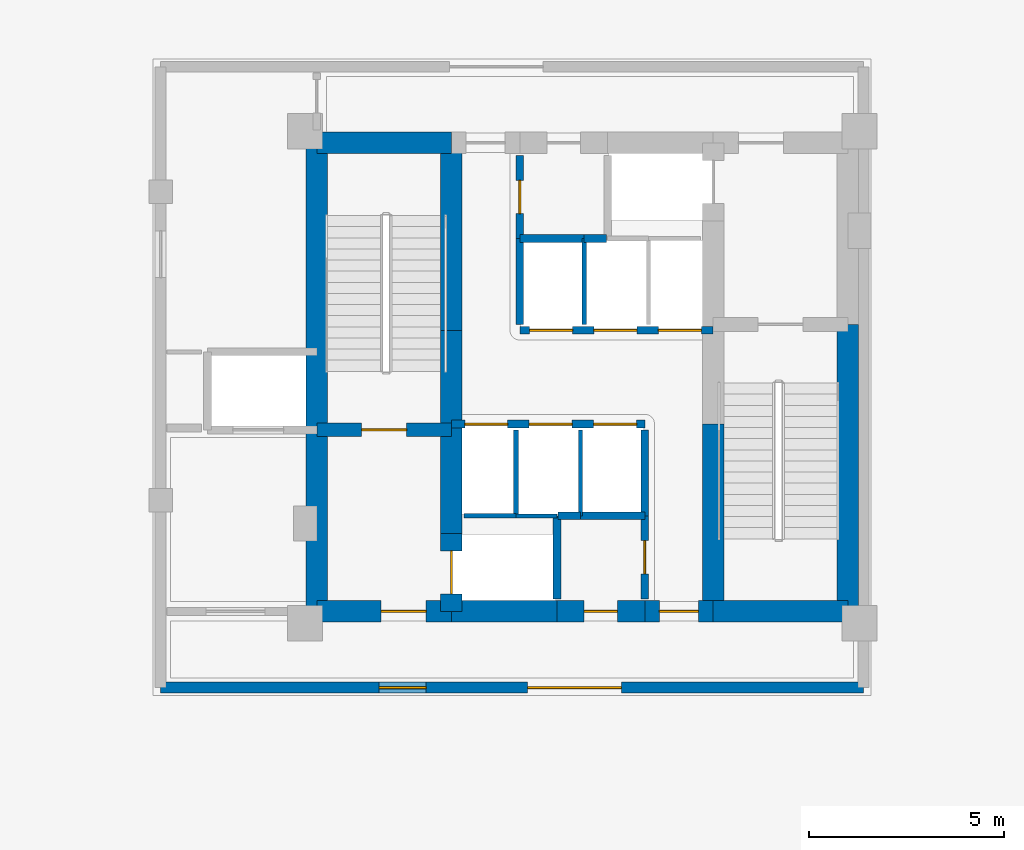
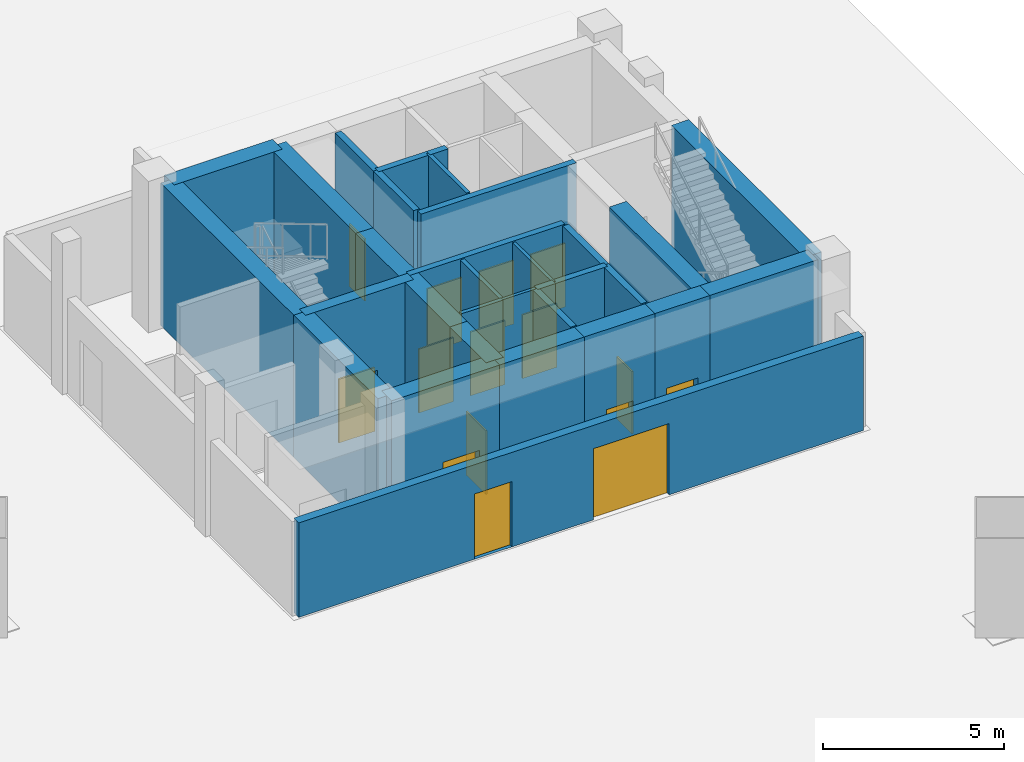
# One storey, part 13 of 21: 32 walls, 15 doors, 15 openings.
"""IFC4 building model written with IfcOpenShell, lengths in metres."""

from ifc_helpers import new_model, si_unit, direction, frame, frame_2d, origin, place, context, subcontext, project, spatial, rectangle, extrude, material, layer, layer_set, type_object, element, fill, save


model = new_model("IFC4")

# Units and contexts
model_context = context("Model", 3, precision=1e-05, world=origin(), true_north=direction((0.0, 1.0)))
body_context = subcontext(model_context, "Body", "Model", "MODEL_VIEW")
ifc_project = project(units=[si_unit("LENGTHUNIT", "METRE"), si_unit("AREAUNIT", "SQUARE_METRE"), si_unit("VOLUMEUNIT", "CUBIC_METRE"), si_unit("PLANEANGLEUNIT", "RADIAN"), si_unit("MASSUNIT", "GRAM", prefix="KILO")], contexts=[model_context])

# Site, building, storey
site_placement = place(None, origin())
site = spatial("IfcSite", under=ifc_project, at=site_placement, CompositionType="ELEMENT")
building_placement = place(site_placement, origin())
building = spatial("IfcBuilding", under=site, at=building_placement, Name="Mersakhor Tower and Convention Hall", CompositionType="ELEMENT")
storey_placement = place(building_placement, origin())
storey = spatial("IfcBuildingStorey", under=building, at=storey_placement, Name="L00", CompositionType="ELEMENT", Elevation=0.0)

# Wall, openings, doors
ifc_material_1 = material(Name="Precast concrete C45/55", Category="concrete")
ifc_layer_1 = layer(ifc_material_1, 0.27490234375)
ifc_layer_set_1 = layer_set([ifc_layer_1], Name="Precast concrete C45/55")
wall_type_1 = type_object("IfcWallType", Name="WL-EXT-275", PredefinedType="SOLIDWALL", material=ifc_layer_set_1)
wall_1_placement = place(storey_placement, frame((36.199951171875, 18.800048828125, 0.0), z_axis=(0.0, 0.0, 1.0), x_axis=(-1.0, 0.0, 0.0)))
wall_1 = element("IfcWall", 1, at=wall_1_placement, inside=storey, type_object=wall_type_1, Name="Tower Ground Lobby Exterior Wall S", PredefinedType="SOLIDWALL", context=body_context, shape_type="SweptSolid", body=[
    extrude(rectangle(XDim=18.0, YDim=0.27490234375, at=frame_2d((9.0, 0.0))), origin(), (0.0, 0.0, 1.0), 3.18505859375),
])
opening_1_placement = place(wall_1_placement, frame((6.199951171875, 0.0, 0.0)))
opening_1 = element("IfcOpeningElement", 2, at=opening_1_placement, cuts=wall_1, Name="Opening ED-02", PredefinedType="OPENING", context=body_context, shape_type="SweptSolid", body=[
    extrude(rectangle(XDim=2.39990234375, YDim=2.39990234375, at=frame_2d((1.199951171875, 1.199951171875))), frame((0.0, 0.1474609375, 0.0), z_axis=(0.0, -1.0, 0.0), x_axis=(1.0, 0.0, 0.0)), (0.0, 0.0, 1.0), 0.294921875),
])
opening_2_placement = place(wall_1_placement, frame((11.199951171875, 0.0, 0.0)))
opening_2 = element("IfcOpeningElement", 3, at=opening_2_placement, cuts=wall_1, Name="Opening EX-01", PredefinedType="OPENING", context=body_context, shape_type="SweptSolid", body=[
    extrude(rectangle(XDim=1.199951171875, YDim=2.199951171875, at=frame_2d((0.60009765625, 1.10009765625))), frame((0.0, 0.1474609375, 0.0), z_axis=(0.0, -1.0, 0.0), x_axis=(1.0, 0.0, 0.0)), (0.0, 0.0, 1.0), 0.294921875),
])
ifc_material_2 = material(Name="Thermally broken dark aluminium and safety glass", Category="aluminium")
door_type_1 = type_object("IfcDoorType", Name="DR-EXT-DBL-240x240", OperationType="NOTDEFINED", PredefinedType="DOOR", material=ifc_material_2)
door_1_placement = place(opening_1_placement, origin())
door_1 = element("IfcDoor", 4, at=door_1_placement, inside=storey, type_object=door_type_1, Name="Tower South Main Entrance Door", OperationType="DOUBLE_DOOR_SINGLE_SWING", OverallHeight=2.39990234375, OverallWidth=2.39990234375, PredefinedType="DOOR", context=body_context, shape_type="SweptSolid", body=[
    extrude(rectangle(XDim=2.39990234375, YDim=2.39990234375, at=frame_2d((1.199951171875, 1.199951171875))), frame((0.0, 0.02490234375, 0.0), z_axis=(0.0, -1.0, 0.0), x_axis=(1.0, 0.0, 0.0)), (0.0, 0.0, 1.0), 0.050048828125),
])
fill(opening_1, door_1)
ifc_material_3 = material(Name="Thermally broken dark aluminium and safety glass", Category="aluminium")
door_type_2 = type_object("IfcDoorType", Name="DR-EXT-EXIT-120x220", OperationType="NOTDEFINED", PredefinedType="DOOR", material=ifc_material_3)
door_2_placement = place(opening_2_placement, origin())
door_2 = element("IfcDoor", 5, at=door_2_placement, inside=storey, type_object=door_type_2, Name="Tower Stair ST-1 Final Exit Discharge Door", OperationType="SINGLE_SWING_LEFT", OverallHeight=2.199951171875, OverallWidth=1.199951171875, PredefinedType="DOOR", context=body_context, shape_type="SweptSolid", body=[
    extrude(rectangle(XDim=1.199951171875, YDim=2.199951171875, at=frame_2d((0.60009765625, 1.10009765625))), frame((0.0, 0.02490234375, 0.0), z_axis=(0.0, -1.0, 0.0), x_axis=(1.0, 0.0, 0.0)), (0.0, 0.0, 1.0), 0.050048828125),
])
fill(opening_2, door_2)

# Walls
ifc_material_4 = material(Name="Lightweight gypsum partition", Category="other")
ifc_layer_2 = layer(ifc_material_4, 0.10009765625)
ifc_layer_set_2 = layer_set([ifc_layer_2], Name="Lightweight gypsum partition")
wall_type_2 = type_object("IfcWallType", Name="WL-PRT-100", PredefinedType="PARTITIONING", material=ifc_layer_set_2)
wall_2_placement = place(storey_placement, frame((27.300048828125, 23.199951171875, 0.0), z_axis=(0.0, 0.0, 1.0), x_axis=(1.0, 0.0, 0.0)))
element("IfcWall", 6, at=wall_2_placement, inside=storey, type_object=wall_type_2, Name="L00 Interior Partition Wall P-002", PredefinedType="PARTITIONING", context=body_context, shape_type="SweptSolid", body=[
    extrude(rectangle(XDim=1.050048828125, YDim=0.10009765625, at=frame_2d((0.52490234375, 0.0))), origin(), (0.0, 0.0, 1.0), 4.800048828125),
])
wall_3_placement = place(storey_placement, frame((28.949951171875, 25.39990234375, 0.0), z_axis=(0.0, 0.0, 1.0), x_axis=(0.0, -1.0, 0.0)))
element("IfcWall", 7, at=wall_3_placement, inside=storey, type_object=wall_type_2, Name="L00 Interior Partition Wall P-008", PredefinedType="PARTITIONING", context=body_context, shape_type="SweptSolid", body=[
    extrude(rectangle(XDim=2.199951171875, YDim=0.10009765625, at=frame_2d((1.10009765625, 0.0))), origin(), (0.0, 0.0, 1.0), 4.800048828125),
])
ifc_material_5 = material(Name="Gypsum board acoustic partition", Category="other")
ifc_layer_3 = layer(ifc_material_5, 0.125)
ifc_layer_set_3 = layer_set([ifc_layer_3], Name="Gypsum board acoustic partition")
wall_type_3 = type_object("IfcWallType", Name="WL-PRT-125", PredefinedType="PARTITIONING", material=ifc_layer_set_3)
wall_4_placement = place(storey_placement, frame((25.97509765625, 23.199951171875, 0.0), z_axis=(0.0, 0.0, 1.0), x_axis=(1.0, 0.0, 0.0)))
element("IfcWall", 8, at=wall_4_placement, inside=storey, type_object=wall_type_3, Name="L00 Interior Partition Wall P-001", PredefinedType="PARTITIONING", context=body_context, shape_type="SweptSolid", body=[
    extrude(rectangle(XDim=1.324951171875, YDim=0.125, at=frame_2d((0.66259765625, 0.0))), origin(), (0.0, 0.0, 1.0), 4.800048828125),
])
for number, where, z_axis, x_axis, name in (
    (9, (27.300048828125, 25.39990234375, 0.0), (0.0, 0.0, 1.0), (0.0, -1.0, 0.0), "L00 Interior Partition Wall P-007"),
    (10, (29.050048828125, 30.300048828125, 0.0), (0.0, 0.0, 1.0), (0.0, -1.0, 0.0), "L00 Interior Partition Wall P-013"),
):
    element("IfcWall", number, at=place(storey_placement, frame(where, z_axis=z_axis, x_axis=x_axis)), inside=storey, type_object=wall_type_3, Name=name, PredefinedType="PARTITIONING", context=body_context, shape_type="SweptSolid", body=[
        extrude(rectangle(XDim=2.199951171875, YDim=0.125, at=frame_2d((1.10009765625, 0.0))), origin(), (0.0, 0.0, 1.0), 4.800048828125),
    ])

# Wall, openings, doors
ifc_material_6 = material(Name="Acoustic concrete blockwork and gypsum board", Category="masonry")
ifc_layer_4 = layer(ifc_material_6, 0.199951171875)
ifc_layer_set_4 = layer_set([ifc_layer_4], Name="Acoustic concrete blockwork and gypsum board")
wall_type_4 = type_object("IfcWallType", Name="WL-PRT-200", PredefinedType="PARTITIONING", material=ifc_layer_set_4)
wall_5_placement = place(storey_placement, frame((25.64990234375, 25.550048828125, 0.0), z_axis=(0.0, 0.0, 1.0), x_axis=(1.0, 0.0, 0.0)))
wall_5 = element("IfcWall", 11, at=wall_5_placement, inside=storey, type_object=wall_type_4, Name="L00 High-Rise Lift Bank Front Wall", PredefinedType="PARTITIONING", context=body_context, shape_type="SweptSolid", body=[
    extrude(rectangle(XDim=4.9501953125, YDim=0.199951171875, at=frame_2d((2.47509765625, 0.0))), origin(), (0.0, 0.0, 1.0), 4.800048828125),
])
opening_3_placement = place(wall_5_placement, frame((0.340087890625, 0.0, 0.0)))
opening_3 = element("IfcOpeningElement", 12, at=opening_3_placement, cuts=wall_5, Name="Opening LD-P4", PredefinedType="OPENING", context=body_context, shape_type="SweptSolid", body=[
    extrude(rectangle(XDim=1.10009765625, YDim=2.14990234375, at=frame_2d((0.550048828125, 1.074951171875))), frame((0.0, 0.10986328125, 0.0), z_axis=(0.0, -1.0, 0.0), x_axis=(1.0, 0.0, 0.0)), (0.0, 0.0, 1.0), 0.219970703125),
])
opening_4_placement = place(wall_5_placement, frame((1.989990234375, 0.0, 0.0)))
opening_4 = element("IfcOpeningElement", 13, at=opening_4_placement, cuts=wall_5, Name="Opening LD-P5", PredefinedType="OPENING", context=body_context, shape_type="SweptSolid", body=[
    extrude(rectangle(XDim=1.10009765625, YDim=2.14990234375, at=frame_2d((0.550048828125, 1.074951171875))), frame((0.0, 0.10986328125, 0.0), z_axis=(0.0, -1.0, 0.0), x_axis=(1.0, 0.0, 0.0)), (0.0, 0.0, 1.0), 0.219970703125),
])
opening_5_placement = place(wall_5_placement, frame((3.639892578125, 0.0, 0.0)))
opening_5 = element("IfcOpeningElement", 14, at=opening_5_placement, cuts=wall_5, Name="Opening LD-P6", PredefinedType="OPENING", context=body_context, shape_type="SweptSolid", body=[
    extrude(rectangle(XDim=1.10009765625, YDim=2.14990234375, at=frame_2d((0.550048828125, 1.074951171875))), frame((0.0, 0.10986328125, 0.0), z_axis=(0.0, -1.0, 0.0), x_axis=(1.0, 0.0, 0.0)), (0.0, 0.0, 1.0), 0.219970703125),
])
ifc_material_7 = material(Name="Fire-rated brushed stainless steel sliding landing door", Category="steel")
door_type_3 = type_object("IfcDoorType", Name="DR-LIFT-SLD-110x215", OperationType="NOTDEFINED", PredefinedType="DOOR", material=ifc_material_7)
door_3_placement = place(opening_3_placement, origin())
door_3 = element("IfcDoor", 15, at=door_3_placement, inside=storey, type_object=door_type_3, Name="L00 Lift Landing Door LD-P4", OperationType="SLIDING_TO_LEFT", OverallHeight=2.14990234375, OverallWidth=1.10009765625, PredefinedType="DOOR", context=body_context, shape_type="SweptSolid", body=[
    extrude(rectangle(XDim=1.10009765625, YDim=2.14990234375, at=frame_2d((0.550048828125, 1.074951171875))), frame((0.0, 0.02490234375, 0.0), z_axis=(0.0, -1.0, 0.0), x_axis=(1.0, 0.0, 0.0)), (0.0, 0.0, 1.0), 0.050048828125),
])
fill(opening_3, door_3)
door_4_placement = place(opening_4_placement, origin())
door_4 = element("IfcDoor", 16, at=door_4_placement, inside=storey, type_object=door_type_3, Name="L00 Lift Landing Door LD-P5", OperationType="SLIDING_TO_LEFT", OverallHeight=2.14990234375, OverallWidth=1.10009765625, PredefinedType="DOOR", context=body_context, shape_type="SweptSolid", body=[
    extrude(rectangle(XDim=1.10009765625, YDim=2.14990234375, at=frame_2d((0.550048828125, 1.074951171875))), frame((0.0, 0.02490234375, 0.0), z_axis=(0.0, -1.0, 0.0), x_axis=(1.0, 0.0, 0.0)), (0.0, 0.0, 1.0), 0.050048828125),
])
fill(opening_4, door_4)
door_5_placement = place(opening_5_placement, origin())
door_5 = element("IfcDoor", 17, at=door_5_placement, inside=storey, type_object=door_type_3, Name="L00 Lift Landing Door LD-P6", OperationType="SLIDING_TO_LEFT", OverallHeight=2.14990234375, OverallWidth=1.10009765625, PredefinedType="DOOR", context=body_context, shape_type="SweptSolid", body=[
    extrude(rectangle(XDim=1.10009765625, YDim=2.14990234375, at=frame_2d((0.550048828125, 1.074951171875))), frame((0.0, 0.02490234375, 0.0), z_axis=(0.0, -1.0, 0.0), x_axis=(1.0, 0.0, 0.0)), (0.0, 0.0, 1.0), 0.050048828125),
])
fill(opening_5, door_5)

wall_6_placement = place(storey_placement, frame((27.39990234375, 27.949951171875, 0.0), z_axis=(0.0, 0.0, 1.0), x_axis=(1.0, 0.0, 0.0)))
wall_6 = element("IfcWall", 18, at=wall_6_placement, inside=storey, type_object=wall_type_4, Name="L00 Low-Rise Lift Bank Front Wall", PredefinedType="PARTITIONING", context=body_context, shape_type="SweptSolid", body=[
    extrude(rectangle(XDim=4.9501953125, YDim=0.199951171875, at=frame_2d((2.47509765625, 0.0))), origin(), (0.0, 0.0, 1.0), 4.800048828125),
])
opening_6_placement = place(wall_6_placement, frame((0.25, 0.0, 0.0)))
opening_6 = element("IfcOpeningElement", 19, at=opening_6_placement, cuts=wall_6, Name="Opening LD-P1", PredefinedType="OPENING", context=body_context, shape_type="SweptSolid", body=[
    extrude(rectangle(XDim=1.10009765625, YDim=2.14990234375, at=frame_2d((0.550048828125, 1.074951171875))), frame((0.0, 0.10986328125, 0.0), z_axis=(0.0, -1.0, 0.0), x_axis=(1.0, 0.0, 0.0)), (0.0, 0.0, 1.0), 0.219970703125),
])
opening_7_placement = place(wall_6_placement, frame((1.89990234375, 0.0, 0.0)))
opening_7 = element("IfcOpeningElement", 20, at=opening_7_placement, cuts=wall_6, Name="Opening LD-P2", PredefinedType="OPENING", context=body_context, shape_type="SweptSolid", body=[
    extrude(rectangle(XDim=1.10009765625, YDim=2.14990234375, at=frame_2d((0.550048828125, 1.074951171875))), frame((0.0, 0.10986328125, 0.0), z_axis=(0.0, -1.0, 0.0), x_axis=(1.0, 0.0, 0.0)), (0.0, 0.0, 1.0), 0.219970703125),
])
opening_8_placement = place(wall_6_placement, frame((3.550048828125, 0.0, 0.0)))
opening_8 = element("IfcOpeningElement", 21, at=opening_8_placement, cuts=wall_6, Name="Opening LD-P3", PredefinedType="OPENING", context=body_context, shape_type="SweptSolid", body=[
    extrude(rectangle(XDim=1.10009765625, YDim=2.14990234375, at=frame_2d((0.550048828125, 1.074951171875))), frame((0.0, 0.10986328125, 0.0), z_axis=(0.0, -1.0, 0.0), x_axis=(1.0, 0.0, 0.0)), (0.0, 0.0, 1.0), 0.219970703125),
])
door_6_placement = place(opening_6_placement, origin())
door_6 = element("IfcDoor", 22, at=door_6_placement, inside=storey, type_object=door_type_3, Name="L00 Lift Landing Door LD-P1", OperationType="SLIDING_TO_LEFT", OverallHeight=2.14990234375, OverallWidth=1.10009765625, PredefinedType="DOOR", context=body_context, shape_type="SweptSolid", body=[
    extrude(rectangle(XDim=1.10009765625, YDim=2.14990234375, at=frame_2d((0.550048828125, 1.074951171875))), frame((0.0, 0.02490234375, 0.0), z_axis=(0.0, -1.0, 0.0), x_axis=(1.0, 0.0, 0.0)), (0.0, 0.0, 1.0), 0.050048828125),
])
fill(opening_6, door_6)
door_7_placement = place(opening_7_placement, origin())
door_7 = element("IfcDoor", 23, at=door_7_placement, inside=storey, type_object=door_type_3, Name="L00 Lift Landing Door LD-P2", OperationType="SLIDING_TO_LEFT", OverallHeight=2.14990234375, OverallWidth=1.10009765625, PredefinedType="DOOR", context=body_context, shape_type="SweptSolid", body=[
    extrude(rectangle(XDim=1.10009765625, YDim=2.14990234375, at=frame_2d((0.550048828125, 1.074951171875))), frame((0.0, 0.02490234375, 0.0), z_axis=(0.0, -1.0, 0.0), x_axis=(1.0, 0.0, 0.0)), (0.0, 0.0, 1.0), 0.050048828125),
])
fill(opening_7, door_7)
door_8_placement = place(opening_8_placement, origin())
door_8 = element("IfcDoor", 24, at=door_8_placement, inside=storey, type_object=door_type_3, Name="L00 Lift Landing Door LD-P3", OperationType="SLIDING_TO_LEFT", OverallHeight=2.14990234375, OverallWidth=1.10009765625, PredefinedType="DOOR", context=body_context, shape_type="SweptSolid", body=[
    extrude(rectangle(XDim=1.10009765625, YDim=2.14990234375, at=frame_2d((0.550048828125, 1.074951171875))), frame((0.0, 0.02490234375, 0.0), z_axis=(0.0, -1.0, 0.0), x_axis=(1.0, 0.0, 0.0)), (0.0, 0.0, 1.0), 0.050048828125),
])
fill(opening_8, door_8)

# Walls
wall_7_placement = place(storey_placement, frame((28.35009765625, 23.199951171875, 0.0), z_axis=(0.0, 0.0, 1.0), x_axis=(0.0, -1.0, 0.0)))
element("IfcWall", 25, at=wall_7_placement, inside=storey, type_object=wall_type_4, Name="L00 Interior Partition Wall P-003", PredefinedType="PARTITIONING", context=body_context, shape_type="SweptSolid", body=[
    extrude(rectangle(XDim=2.125, YDim=0.199951171875, at=frame_2d((1.0625, 0.0))), origin(), (0.0, 0.0, 1.0), 4.800048828125),
])
wall_8_placement = place(storey_placement, frame((28.949951171875, 23.199951171875, 0.0), z_axis=(0.0, 0.0, 1.0), x_axis=(-1.0, 0.0, 0.0)))
element("IfcWall", 26, at=wall_8_placement, inside=storey, type_object=wall_type_4, Name="L00 Interior Partition Wall P-009", PredefinedType="PARTITIONING", context=body_context, shape_type="SweptSolid", body=[
    extrude(rectangle(XDim=0.570068359375, YDim=0.199951171875, at=frame_2d((0.28515625, 0.0))), origin(), (0.0, 0.0, 1.0), 4.800048828125),
])
wall_9_placement = place(storey_placement, frame((30.60009765625, 25.39990234375, 0.0), z_axis=(0.0, 0.0, 1.0), x_axis=(0.0, -1.0, 0.0)))
element("IfcWall", 27, at=wall_9_placement, inside=storey, type_object=wall_type_4, Name="L00 Interior Partition Wall P-010", PredefinedType="PARTITIONING", context=body_context, shape_type="SweptSolid", body=[
    extrude(rectangle(XDim=2.199951171875, YDim=0.199951171875, at=frame_2d((1.10009765625, 0.0))), origin(), (0.0, 0.0, 1.0), 4.800048828125),
])
for number, where, z_axis, x_axis, name in (
    (28, (30.60009765625, 23.199951171875, 0.0), (0.0, 0.0, 1.0), (-1.0, 0.0, 0.0), "L00 Interior Partition Wall P-011"),
    (29, (27.39990234375, 30.300048828125, 0.0), (0.0, 0.0, 1.0), (1.0, 0.0, 0.0), "L00 Interior Partition Wall P-012"),
):
    element("IfcWall", number, at=place(storey_placement, frame(where, z_axis=z_axis, x_axis=x_axis)), inside=storey, type_object=wall_type_4, Name=name, PredefinedType="PARTITIONING", context=body_context, shape_type="SweptSolid", body=[
        extrude(rectangle(XDim=1.650146484375, YDim=0.199951171875, at=frame_2d((0.8251953125, 0.0))), origin(), (0.0, 0.0, 1.0), 4.800048828125),
    ])
wall_10_placement = place(storey_placement, frame((27.39990234375, 28.10009765625, 0.0), z_axis=(0.0, 0.0, 1.0), x_axis=(0.0, 1.0, 0.0)))
element("IfcWall", 30, at=wall_10_placement, inside=storey, type_object=wall_type_4, Name="L00 Interior Partition Wall P-014", PredefinedType="PARTITIONING", context=body_context, shape_type="SweptSolid", body=[
    extrude(rectangle(XDim=2.199951171875, YDim=0.199951171875, at=frame_2d((1.10009765625, 0.0))), origin(), (0.0, 0.0, 1.0), 4.800048828125),
])
wall_11_placement = place(storey_placement, frame((29.050048828125, 30.300048828125, 0.0), z_axis=(0.0, 0.0, 1.0), x_axis=(1.0, 0.0, 0.0)))
element("IfcWall", 31, at=wall_11_placement, inside=storey, type_object=wall_type_4, Name="L00 Interior Partition Wall P-015", PredefinedType="PARTITIONING", context=body_context, shape_type="SweptSolid", body=[
    extrude(rectangle(XDim=0.570068359375, YDim=0.199951171875, at=frame_2d((0.28515625, 0.0))), origin(), (0.0, 0.0, 1.0), 4.800048828125),
])

# Wall, opening, door
wall_12_placement = place(storey_placement, frame((30.60009765625, 21.074951171875, 0.0), z_axis=(0.0, 0.0, 1.0), x_axis=(0.0, 1.0, 0.0)))
wall_12 = element("IfcWall", 32, at=wall_12_placement, inside=storey, type_object=wall_type_4, Name="L00 Interior Partition Wall P-017", PredefinedType="PARTITIONING", context=body_context, shape_type="SweptSolid", body=[
    extrude(rectangle(XDim=2.125, YDim=0.199951171875, at=frame_2d((1.0625, 0.0))), origin(), (0.0, 0.0, 1.0), 4.800048828125),
])
opening_9_placement = place(wall_12_placement, frame((0.637451171875, 0.0, 0.0)))
opening_9 = element("IfcOpeningElement", 33, at=opening_9_placement, cuts=wall_12, Name="Opening SVD-01", PredefinedType="OPENING", context=body_context, shape_type="SweptSolid", body=[
    extrude(rectangle(XDim=0.85009765625, YDim=2.10009765625, at=frame_2d((0.425048828125, 1.050048828125))), frame((0.0, 0.10986328125, 0.0), z_axis=(0.0, -1.0, 0.0), x_axis=(1.0, 0.0, 0.0)), (0.0, 0.0, 1.0), 0.219970703125),
])
ifc_material_8 = material(Name="Fire-rated hardwood leaf and painted steel frame", Category="steel")
door_type_4 = type_object("IfcDoorType", Name="DR-INT-SVC-085x210", OperationType="NOTDEFINED", PredefinedType="DOOR", material=ifc_material_8)
door_9_placement = place(opening_9_placement, origin())
door_9 = element("IfcDoor", 34, at=door_9_placement, inside=storey, type_object=door_type_4, Name="L00 Central Passenger Lift Lobby to Electrical Switchroom Door", OperationType="SINGLE_SWING_RIGHT", OverallHeight=2.10009765625, OverallWidth=0.85009765625, PredefinedType="DOOR", context=body_context, shape_type="SweptSolid", body=[
    extrude(rectangle(XDim=0.85009765625, YDim=2.10009765625, at=frame_2d((0.425048828125, 1.050048828125))), frame((0.0, 0.02490234375, 0.0), z_axis=(0.0, -1.0, 0.0), x_axis=(1.0, 0.0, 0.0)), (0.0, 0.0, 1.0), 0.050048828125),
])
fill(opening_9, door_9)

wall_13_placement = place(storey_placement, frame((27.39990234375, 32.425048828125, 0.0), z_axis=(0.0, 0.0, 1.0), x_axis=(0.0, -1.0, 0.0)))
wall_13 = element("IfcWall", 35, at=wall_13_placement, inside=storey, type_object=wall_type_4, Name="L00 Interior Partition Wall P-018", PredefinedType="PARTITIONING", context=body_context, shape_type="SweptSolid", body=[
    extrude(rectangle(XDim=2.125, YDim=0.199951171875, at=frame_2d((1.0625, 0.0))), origin(), (0.0, 0.0, 1.0), 4.800048828125),
])
opening_10_placement = place(wall_13_placement, frame((0.637451171875, 0.0, 0.0)))
opening_10 = element("IfcOpeningElement", 36, at=opening_10_placement, cuts=wall_13, Name="Opening SVD-01", PredefinedType="OPENING", context=body_context, shape_type="SweptSolid", body=[
    extrude(rectangle(XDim=0.85009765625, YDim=2.10009765625, at=frame_2d((0.425048828125, 1.050048828125))), frame((0.0, 0.10986328125, 0.0), z_axis=(0.0, -1.0, 0.0), x_axis=(1.0, 0.0, 0.0)), (0.0, 0.0, 1.0), 0.219970703125),
])
door_10_placement = place(opening_10_placement, origin())
door_10 = element("IfcDoor", 37, at=door_10_placement, inside=storey, type_object=door_type_4, Name="L00 Central Passenger Lift Lobby to Telecoms and BMS Riser Room Door", OperationType="SINGLE_SWING_LEFT", OverallHeight=2.10009765625, OverallWidth=0.85009765625, PredefinedType="DOOR", context=body_context, shape_type="SweptSolid", body=[
    extrude(rectangle(XDim=0.85009765625, YDim=2.10009765625, at=frame_2d((0.425048828125, 1.050048828125))), frame((0.0, 0.02490234375, 0.0), z_axis=(0.0, -1.0, 0.0), x_axis=(1.0, 0.0, 0.0)), (0.0, 0.0, 1.0), 0.050048828125),
])
fill(opening_10, door_10)

ifc_material_9 = material(Name="Concrete C50/60", Category="concrete")
ifc_layer_5 = layer(ifc_material_9, 0.35009765625)
ifc_layer_set_5 = layer_set([ifc_layer_5], Name="Concrete C50/60")
wall_type_5 = type_object("IfcWallType", Name="WL-SHR-350", PredefinedType="SHEAR", material=ifc_layer_set_5)
wall_14_placement = place(storey_placement, frame((22.199951171875, 25.39990234375, 0.0), z_axis=(0.0, 0.0, 1.0), x_axis=(1.0, 0.0, 0.0)))
wall_14 = element("IfcWall", 38, at=wall_14_placement, inside=storey, type_object=wall_type_5, Name="L00 Core Wall CS-ST1-S", PredefinedType="SHEAR", context=body_context, shape_type="SweptSolid", body=[
    extrude(rectangle(XDim=3.449951171875, YDim=0.35009765625, at=frame_2d((1.72509765625, 0.0))), origin(), (0.0, 0.0, 1.0), 4.800048828125),
])
opening_11_placement = place(wall_14_placement, frame((1.14990234375, 0.0, 0.0)))
opening_11 = element("IfcOpeningElement", 39, at=opening_11_placement, cuts=wall_14, Name="Opening SD-01", PredefinedType="OPENING", context=body_context, shape_type="SweptSolid", body=[
    extrude(rectangle(XDim=1.14990234375, YDim=2.14990234375, at=frame_2d((0.574951171875, 1.074951171875))), frame((0.0, 0.18505859375, 0.0), z_axis=(0.0, -1.0, 0.0), x_axis=(1.0, 0.0, 0.0)), (0.0, 0.0, 1.0), 0.3701171875),
])
ifc_material_10 = material(Name="Fire-rated hardwood leaf and painted steel frame", Category="steel")
door_type_5 = type_object("IfcDoorType", Name="DR-INT-STAIR-115x215", OperationType="NOTDEFINED", PredefinedType="DOOR", material=ifc_material_10)
door_11_placement = place(opening_11_placement, origin())
door_11 = element("IfcDoor", 40, at=door_11_placement, inside=storey, type_object=door_type_5, Name="L00 Exit Stair ST-1 Enclosure Door", OperationType="SINGLE_SWING_LEFT", OverallHeight=2.14990234375, OverallWidth=1.14990234375, PredefinedType="DOOR", context=body_context, shape_type="SweptSolid", body=[
    extrude(rectangle(XDim=1.14990234375, YDim=2.14990234375, at=frame_2d((0.574951171875, 1.074951171875))), frame((0.0, 0.02490234375, 0.0), z_axis=(0.0, -1.0, 0.0), x_axis=(1.0, 0.0, 0.0)), (0.0, 0.0, 1.0), 0.050048828125),
])
fill(opening_11, door_11)

# Walls
ifc_material_11 = material(Name="Concrete C70/85", Category="concrete")
ifc_layer_6 = layer(ifc_material_11, 0.550048828125)
ifc_layer_set_6 = layer_set([ifc_layer_6], Name="Concrete C70/85")
wall_type_6 = type_object("IfcWallType", Name="WL-SHR-550", PredefinedType="SHEAR", material=ifc_layer_set_6)
wall_15_placement = place(storey_placement, frame((22.199951171875, 20.75, 0.0), z_axis=(0.0, 0.0, 1.0), x_axis=(0.0, 1.0, 0.0)))
element("IfcWall", 41, at=wall_15_placement, inside=storey, type_object=wall_type_6, Name="L00 Core Wall CW-W1", PredefinedType="SHEAR", context=body_context, shape_type="SweptSolid", body=[
    extrude(rectangle(XDim=4.64990234375, YDim=0.550048828125, at=frame_2d((2.324951171875, 0.0))), origin(), (0.0, 0.0, 1.0), 4.800048828125),
])
wall_16_placement = place(storey_placement, frame((22.199951171875, 25.39990234375, 0.0), z_axis=(0.0, 0.0, 1.0), x_axis=(0.0, 1.0, 0.0)))
element("IfcWall", 42, at=wall_16_placement, inside=storey, type_object=wall_type_6, Name="L00 Core Wall CW-W2", PredefinedType="SHEAR", context=body_context, shape_type="SweptSolid", body=[
    extrude(rectangle(XDim=7.35009765625, YDim=0.550048828125, at=frame_2d((3.675048828125, 0.0))), origin(), (0.0, 0.0, 1.0), 4.800048828125),
])
wall_17_placement = place(storey_placement, frame((22.199951171875, 32.75, 0.0), z_axis=(0.0, 0.0, 1.0), x_axis=(1.0, 0.0, 0.0)))
element("IfcWall", 43, at=wall_17_placement, inside=storey, type_object=wall_type_6, Name="L00 Core Wall CW-N1", PredefinedType="SHEAR", context=body_context, shape_type="SweptSolid", body=[
    extrude(rectangle(XDim=3.449951171875, YDim=0.550048828125, at=frame_2d((1.72509765625, 0.0))), origin(), (0.0, 0.0, 1.0), 4.800048828125),
])
wall_18_placement = place(storey_placement, frame((35.800048828125, 28.10009765625, 0.0), z_axis=(0.0, 0.0, 1.0), x_axis=(0.0, -1.0, 0.0)))
element("IfcWall", 44, at=wall_18_placement, inside=storey, type_object=wall_type_6, Name="L00 Core Wall CW-E2", PredefinedType="SHEAR", context=body_context, shape_type="SweptSolid", body=[
    extrude(rectangle(XDim=7.35009765625, YDim=0.550048828125, at=frame_2d((3.675048828125, 0.0))), origin(), (0.0, 0.0, 1.0), 4.800048828125),
])
wall_19_placement = place(storey_placement, frame((35.800048828125, 20.75, 0.0), z_axis=(0.0, 0.0, 1.0), x_axis=(-1.0, 0.0, 0.0)))
element("IfcWall", 45, at=wall_19_placement, inside=storey, type_object=wall_type_6, Name="L00 Core Wall CW-S1", PredefinedType="SHEAR", context=body_context, shape_type="SweptSolid", body=[
    extrude(rectangle(XDim=3.449951171875, YDim=0.550048828125, at=frame_2d((1.72509765625, 0.0))), origin(), (0.0, 0.0, 1.0), 4.800048828125),
])

# Wall, opening, door
wall_20_placement = place(storey_placement, frame((32.35009765625, 20.75, 0.0), z_axis=(0.0, 0.0, 1.0), x_axis=(-1.0, 0.0, 0.0)))
wall_20 = element("IfcWall", 46, at=wall_20_placement, inside=storey, type_object=wall_type_6, Name="L00 Core Wall CW-S2A", PredefinedType="SHEAR", context=body_context, shape_type="SweptSolid", body=[
    extrude(rectangle(XDim=1.75, YDim=0.550048828125, at=frame_2d((0.875, 0.0))), origin(), (0.0, 0.0, 1.0), 4.800048828125),
])
opening_12_placement = place(wall_20_placement, frame((0.375, 0.0, 0.0)))
opening_12 = element("IfcOpeningElement", 47, at=opening_12_placement, cuts=wall_20, Name="Opening CFD-01", PredefinedType="OPENING", context=body_context, shape_type="SweptSolid", body=[
    extrude(rectangle(XDim=1.0, YDim=2.14990234375, at=frame_2d((0.5, 1.074951171875))), frame((0.0, 0.284912109375, 0.0), z_axis=(0.0, -1.0, 0.0), x_axis=(1.0, 0.0, 0.0)), (0.0, 0.0, 1.0), 0.570068359375),
])
ifc_material_12 = material(Name="Fire-rated hardwood leaf and painted steel frame", Category="steel")
door_type_6 = type_object("IfcDoorType", Name="DR-CORE-FD-100x215", OperationType="NOTDEFINED", PredefinedType="DOOR", material=ifc_material_12)
door_12_placement = place(opening_12_placement, origin())
door_12 = element("IfcDoor", 48, at=door_12_placement, inside=storey, type_object=door_type_6, Name="L00 Lift Lobby South Corridor Door", OperationType="SINGLE_SWING_RIGHT", OverallHeight=2.14990234375, OverallWidth=1.0, PredefinedType="DOOR", context=body_context, shape_type="SweptSolid", body=[
    extrude(rectangle(XDim=1.0, YDim=2.14990234375, at=frame_2d((0.5, 1.074951171875))), frame((0.0, 0.02490234375, 0.0), z_axis=(0.0, -1.0, 0.0), x_axis=(1.0, 0.0, 0.0)), (0.0, 0.0, 1.0), 0.050048828125),
])
fill(opening_12, door_12)

wall_21_placement = place(storey_placement, frame((30.60009765625, 20.75, 0.0), z_axis=(0.0, 0.0, 1.0), x_axis=(-1.0, 0.0, 0.0)))
wall_21 = element("IfcWall", 49, at=wall_21_placement, inside=storey, type_object=wall_type_6, Name="L00 Core Wall CW-S2B", PredefinedType="SHEAR", context=body_context, shape_type="SweptSolid", body=[
    extrude(rectangle(XDim=2.25, YDim=0.550048828125, at=frame_2d((1.125, 0.0))), origin(), (0.0, 0.0, 1.0), 4.800048828125),
])
opening_13_placement = place(wall_21_placement, frame((0.699951171875, 0.0, 0.0)))
opening_13 = element("IfcOpeningElement", 50, at=opening_13_placement, cuts=wall_21, Name="Opening SVD-01", PredefinedType="OPENING", context=body_context, shape_type="SweptSolid", body=[
    extrude(rectangle(XDim=0.85009765625, YDim=2.10009765625, at=frame_2d((0.425048828125, 1.050048828125))), frame((0.0, 0.284912109375, 0.0), z_axis=(0.0, -1.0, 0.0), x_axis=(1.0, 0.0, 0.0)), (0.0, 0.0, 1.0), 0.570068359375),
])
door_13_placement = place(opening_13_placement, origin())
door_13 = element("IfcDoor", 51, at=door_13_placement, inside=storey, type_object=door_type_4, Name="L00 Electrical Switchroom to Tower Ground Entrance Lobby Door", OperationType="SINGLE_SWING_RIGHT", OverallHeight=2.10009765625, OverallWidth=0.85009765625, PredefinedType="DOOR", context=body_context, shape_type="SweptSolid", body=[
    extrude(rectangle(XDim=0.85009765625, YDim=2.10009765625, at=frame_2d((0.425048828125, 1.050048828125))), frame((0.0, 0.02490234375, 0.0), z_axis=(0.0, -1.0, 0.0), x_axis=(1.0, 0.0, 0.0)), (0.0, 0.0, 1.0), 0.050048828125),
])
fill(opening_13, door_13)

# Wall
wall_22_placement = place(storey_placement, frame((28.35009765625, 20.75, 0.0), z_axis=(0.0, 0.0, 1.0), x_axis=(-1.0, 0.0, 0.0)))
element("IfcWall", 52, at=wall_22_placement, inside=storey, type_object=wall_type_6, Name="L00 Core Wall CW-S3", PredefinedType="SHEAR", context=body_context, shape_type="SweptSolid", body=[
    extrude(rectangle(XDim=2.7001953125, YDim=0.550048828125, at=frame_2d((1.35009765625, 0.0))), origin(), (0.0, 0.0, 1.0), 4.800048828125),
])

# Wall, opening, door
wall_23_placement = place(storey_placement, frame((25.64990234375, 20.75, 0.0), z_axis=(0.0, 0.0, 1.0), x_axis=(-1.0, 0.0, 0.0)))
wall_23 = element("IfcWall", 53, at=wall_23_placement, inside=storey, type_object=wall_type_6, Name="L00 Core Wall CW-S4", PredefinedType="SHEAR", context=body_context, shape_type="SweptSolid", body=[
    extrude(rectangle(XDim=3.449951171875, YDim=0.550048828125, at=frame_2d((1.72509765625, 0.0))), origin(), (0.0, 0.0, 1.0), 4.800048828125),
])
opening_14_placement = place(wall_23_placement, frame((0.64990234375, 0.0, 0.0)))
opening_14 = element("IfcOpeningElement", 54, at=opening_14_placement, cuts=wall_23, Name="Opening SD-01", PredefinedType="OPENING", context=body_context, shape_type="SweptSolid", body=[
    extrude(rectangle(XDim=1.14990234375, YDim=2.14990234375, at=frame_2d((0.574951171875, 1.074951171875))), frame((0.0, 0.284912109375, 0.0), z_axis=(0.0, -1.0, 0.0), x_axis=(1.0, 0.0, 0.0)), (0.0, 0.0, 1.0), 0.570068359375),
])
door_14_placement = place(opening_14_placement, origin())
door_14 = element("IfcDoor", 55, at=door_14_placement, inside=storey, type_object=door_type_5, Name="L00 Firefighting Lobby West Fire Door", OperationType="SINGLE_SWING_LEFT", OverallHeight=2.14990234375, OverallWidth=1.14990234375, PredefinedType="DOOR", context=body_context, shape_type="SweptSolid", body=[
    extrude(rectangle(XDim=1.14990234375, YDim=2.14990234375, at=frame_2d((0.574951171875, 1.074951171875))), frame((0.0, 0.02490234375, 0.0), z_axis=(0.0, -1.0, 0.0), x_axis=(1.0, 0.0, 0.0)), (0.0, 0.0, 1.0), 0.050048828125),
])
fill(opening_14, door_14)

wall_24_placement = place(storey_placement, frame((25.64990234375, 20.75, 0.0), z_axis=(0.0, 0.0, 1.0), x_axis=(0.0, 1.0, 0.0)))
wall_24 = element("IfcWall", 56, at=wall_24_placement, inside=storey, type_object=wall_type_6, Name="L00 Core Wall CS-W-FFL", PredefinedType="SHEAR", context=body_context, shape_type="SweptSolid", body=[
    extrude(rectangle(XDim=2.0, YDim=0.550048828125, at=frame_2d((1.0, 0.0))), origin(), (0.0, 0.0, 1.0), 4.800048828125),
])
opening_15_placement = place(wall_24_placement, frame((0.449951171875, 0.0, 0.0)))
opening_15 = element("IfcOpeningElement", 57, at=opening_15_placement, cuts=wall_24, Name="Opening LD-FFL1", PredefinedType="OPENING", context=body_context, shape_type="SweptSolid", body=[
    extrude(rectangle(XDim=1.10009765625, YDim=2.14990234375, at=frame_2d((0.550048828125, 1.074951171875))), frame((0.0, 0.284912109375, 0.0), z_axis=(0.0, -1.0, 0.0), x_axis=(1.0, 0.0, 0.0)), (0.0, 0.0, 1.0), 0.570068359375),
])
door_15_placement = place(opening_15_placement, origin())
door_15 = element("IfcDoor", 58, at=door_15_placement, inside=storey, type_object=door_type_3, Name="L00 Firefighting Lift Landing Door LD-FFL1", OperationType="SLIDING_TO_LEFT", OverallHeight=2.14990234375, OverallWidth=1.10009765625, PredefinedType="DOOR", context=body_context, shape_type="SweptSolid", body=[
    extrude(rectangle(XDim=1.10009765625, YDim=2.14990234375, at=frame_2d((0.550048828125, 1.074951171875))), frame((0.0, 0.02490234375, 0.0), z_axis=(0.0, -1.0, 0.0), x_axis=(1.0, 0.0, 0.0)), (0.0, 0.0, 1.0), 0.050048828125),
])
fill(opening_15, door_15)

# Walls
wall_25_placement = place(storey_placement, frame((25.64990234375, 22.75, 0.0), z_axis=(0.0, 0.0, 1.0), x_axis=(0.0, 1.0, 0.0)))
element("IfcWall", 59, at=wall_25_placement, inside=storey, type_object=wall_type_6, Name="L00 Core Wall CS-W-MID", PredefinedType="SHEAR", context=body_context, shape_type="SweptSolid", body=[
    extrude(rectangle(XDim=2.800048828125, YDim=0.550048828125, at=frame_2d((1.39990234375, 0.0))), origin(), (0.0, 0.0, 1.0), 4.800048828125),
])
wall_26_placement = place(storey_placement, frame((25.64990234375, 25.550048828125, 0.0), z_axis=(0.0, 0.0, 1.0), x_axis=(0.0, 1.0, 0.0)))
element("IfcWall", 60, at=wall_26_placement, inside=storey, type_object=wall_type_6, Name="L00 Core Wall CS-W-LOB", PredefinedType="SHEAR", context=body_context, shape_type="SweptSolid", body=[
    extrude(rectangle(XDim=2.39990234375, YDim=0.550048828125, at=frame_2d((1.199951171875, 0.0))), origin(), (0.0, 0.0, 1.0), 4.800048828125),
])
for number, where, z_axis, x_axis, name in (
    (61, (25.64990234375, 27.949951171875, 0.0), (0.0, 0.0, 1.0), (0.0, 1.0, 0.0), "L00 Core Wall CS-W-ST1"),
    (62, (32.35009765625, 20.75, 0.0), (0.0, 0.0, 1.0), (0.0, 1.0, 0.0), "L00 Core Wall CS-E-ST2"),
):
    element("IfcWall", number, at=place(storey_placement, frame(where, z_axis=z_axis, x_axis=x_axis)), inside=storey, type_object=wall_type_6, Name=name, PredefinedType="SHEAR", context=body_context, shape_type="SweptSolid", body=[
        extrude(rectangle(XDim=4.800048828125, YDim=0.550048828125, at=frame_2d((2.39990234375, 0.0))), origin(), (0.0, 0.0, 1.0), 4.800048828125),
    ])

save(model, "model.ifc")
